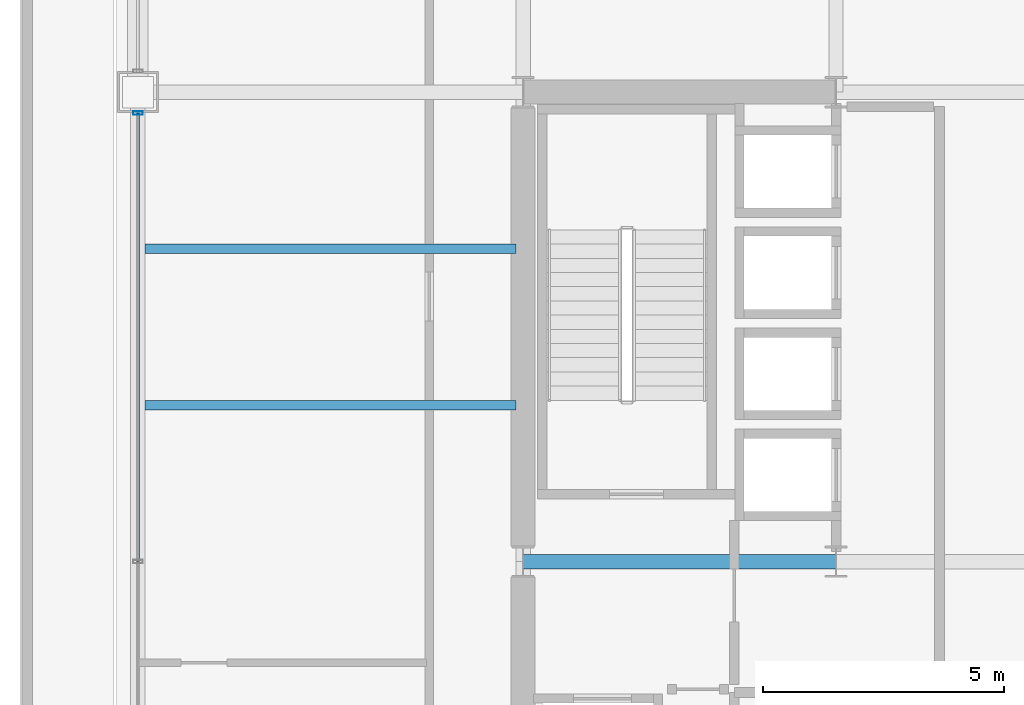
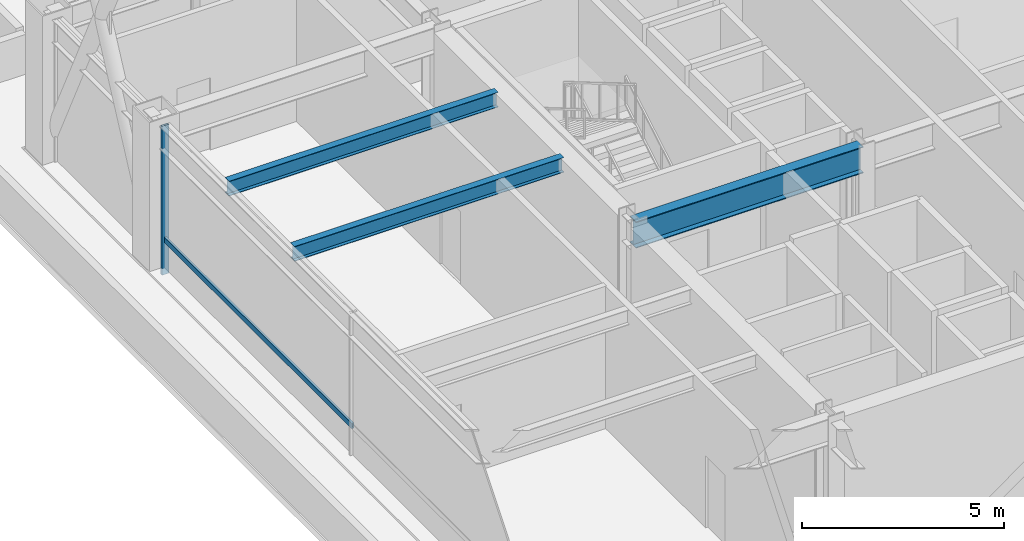
# One storey, part 9 of 32: 3 beams, 2 members, 1 element without a shape of its own.
"""IFC4 building model written with IfcOpenShell, lengths in metres."""

from ifc_helpers import new_model, si_unit, direction, frame, origin, origin_2d, place, context, subcontext, project, spatial, hollow_rectangle, i_section, extrude, material, layer, layer_set, material_profile, profile_set, type_object, element, aggregate, save


model = new_model("IFC4")

# Units and contexts
model_context = context("Model", 3, precision=1e-05, world=origin(), true_north=direction((0.0, 1.0)))
body_context = subcontext(model_context, "Body", "Model", "MODEL_VIEW")
ifc_project = project(units=[si_unit("LENGTHUNIT", "METRE"), si_unit("AREAUNIT", "SQUARE_METRE"), si_unit("VOLUMEUNIT", "CUBIC_METRE"), si_unit("PLANEANGLEUNIT", "RADIAN"), si_unit("MASSUNIT", "GRAM", prefix="KILO")], contexts=[model_context])

# Site, building, storey
site_placement = place(None, origin())
site = spatial("IfcSite", under=ifc_project, at=site_placement, CompositionType="ELEMENT")
building_placement = place(site_placement, origin())
building = spatial("IfcBuilding", under=site, at=building_placement, Name="Brelmoor Portico Tower", CompositionType="ELEMENT")
storey_placement = place(building_placement, frame((0.0, 0.0, 87.300048828125)))
storey = spatial("IfcBuildingStorey", under=building, at=storey_placement, Name="L22", CompositionType="ELEMENT", Elevation=87.300048828125)

# Beams
ifc_material_1 = material(Name="Steel Q355B", Category="steel")
ifc_material_profile_1 = material_profile(ifc_material_1, i_section(OverallWidth=0.199951171875, OverallDepth=0.449951171875, WebThickness=0.009033203125, FlangeThickness=0.013916015625, at=origin_2d()), Name="HN 450x200x9x14")
ifc_profile_set_1 = profile_set([ifc_material_profile_1], Name="Steel Q355B")
beam_type_1 = type_object("IfcBeamType", Name="BM-JS-450", PredefinedType="JOIST", material=ifc_profile_set_1)
for number, where, z_axis, x_axis, name in (
    (1, (-22.39990234375, 3.25, 4.074951171875), (1.0, 0.0, 0.0), (0.0, 1.0, 0.0), "L22 Secondary Wing Joist JS-W07"),
    (2, (-22.39990234375, 6.5, 4.074951171875), (1.0, 0.0, 0.0), (0.0, 1.0, 0.0), "L22 Secondary Wing Joist JS-W08"),
):
    element("IfcBeam", number, at=place(storey_placement, frame(where, z_axis=z_axis, x_axis=x_axis)), inside=storey, type_object=beam_type_1, Name=name, PredefinedType="JOIST", context=body_context, shape_type="SweptSolid", body=[
        extrude(i_section(OverallWidth=0.199951171875, OverallDepth=0.449951171875, WebThickness=0.009033203125, FlangeThickness=0.013916015625, at=origin_2d()), origin(), (0.0, 0.0, 1.0), 7.699951171875),
    ])
ifc_material_profile_2 = material_profile(ifc_material_1, i_section(OverallWidth=0.300048828125, OverallDepth=0.800048828125, WebThickness=0.013916015625, FlangeThickness=0.02587890625, at=origin_2d()), Name="HN 800x300x14x26")
ifc_profile_set_2 = profile_set([ifc_material_profile_2], Name="Steel Q355B")
beam_type_2 = type_object("IfcBeamType", Name="BM-PG-800", PredefinedType="BEAM", material=ifc_profile_set_2)
beam_placement = place(storey_placement, frame((-14.550048828125, 0.0, 3.89990234375), z_axis=(1.0, 0.0, 0.0), x_axis=(0.0, 1.0, 0.0)))
element("IfcBeam", 3, at=beam_placement, inside=storey, type_object=beam_type_2, Name="L22 Primary Floor Girder PG-18", PredefinedType="BEAM", context=body_context, shape_type="SweptSolid", body=[
    extrude(i_section(OverallWidth=0.300048828125, OverallDepth=0.800048828125, WebThickness=0.013916015625, FlangeThickness=0.02587890625, at=origin_2d()), origin(), (0.0, 0.0, 1.0), 6.5),
])

# Curtain wall, members
ifc_material_2 = material(Name="Anodised Aluminium Alloy 6063-T6", Category="aluminium")
ifc_layer = layer(ifc_material_2, 0.179931640625)
ifc_layer_set = layer_set([ifc_layer], Name="Anodised Aluminium Alloy 6063-T6")
curtain_wall_type = type_object("IfcCurtainWallType", Name="CW-SKYLOBBY", PredefinedType="NOTDEFINED", material=ifc_layer_set)
curtain_wall_placement = place(storey_placement, origin())
curtain_wall = element("IfcCurtainWall", 4, at=curtain_wall_placement, inside=storey, type_object=curtain_wall_type, Name="L22 Curtain Wall CW-L22-03-2", PredefinedType="NOTDEFINED")
ifc_material_profile_3 = material_profile(ifc_material_2, hollow_rectangle(XDim=0.070068359375, YDim=0.199951171875, WallThickness=0.00439453125, at=origin_2d()), Name="ALU MULLION 70x200")
ifc_profile_set_3 = profile_set([ifc_material_profile_3], Name="Anodised Aluminium Alloy 6063-T6")
member_type_1 = type_object("IfcMemberType", Name="MB-CW-MULL-200", PredefinedType="MULLION", material=ifc_profile_set_3)
member_1_placement = place(storey_placement, frame((-22.550048828125, 9.31494140625, -0.199951171875), z_axis=(0.0, 0.0, 1.0), x_axis=(0.0, 1.0, 0.0)))
member_1 = element("IfcMember", 5, at=member_1_placement, type_object=member_type_1, Name="CW-L22-03-2 Mullion 02", PredefinedType="MULLION", context=body_context, shape_type="SweptSolid", body=[
    extrude(hollow_rectangle(XDim=0.070068359375, YDim=0.199951171875, WallThickness=0.00439453125, at=origin_2d()), origin(), (0.0, 0.0, 1.0), 4.5),
])
ifc_material_profile_4 = material_profile(ifc_material_2, hollow_rectangle(XDim=0.070068359375, YDim=0.159912109375, WallThickness=0.00390625, at=origin_2d()), Name="ALU TRANSOM 70x160")
ifc_profile_set_4 = profile_set([ifc_material_profile_4], Name="Anodised Aluminium Alloy 6063-T6")
member_type_2 = type_object("IfcMemberType", Name="MB-CW-TRAN-160", PredefinedType="USERDEFINED", material=ifc_profile_set_4)
member_2_placement = place(storey_placement, frame((-22.550048828125, 0.0, 0.849853515625), z_axis=(0.0, 1.0, 0.0), x_axis=(-1.0, 0.0, 0.0)))
member_2 = element("IfcMember", 6, at=member_2_placement, type_object=member_type_2, Name="CW-L22-03-2 Transom 1-01", ObjectType="TRANSOM", PredefinedType="USERDEFINED", context=body_context, shape_type="SweptSolid", body=[
    extrude(hollow_rectangle(XDim=0.070068359375, YDim=0.159912109375, WallThickness=0.00390625, at=origin_2d()), origin(), (0.0, 0.0, 1.0), 9.31494140625),
])
aggregate(curtain_wall, [member_1, member_2])

save(model, "model.ifc")
